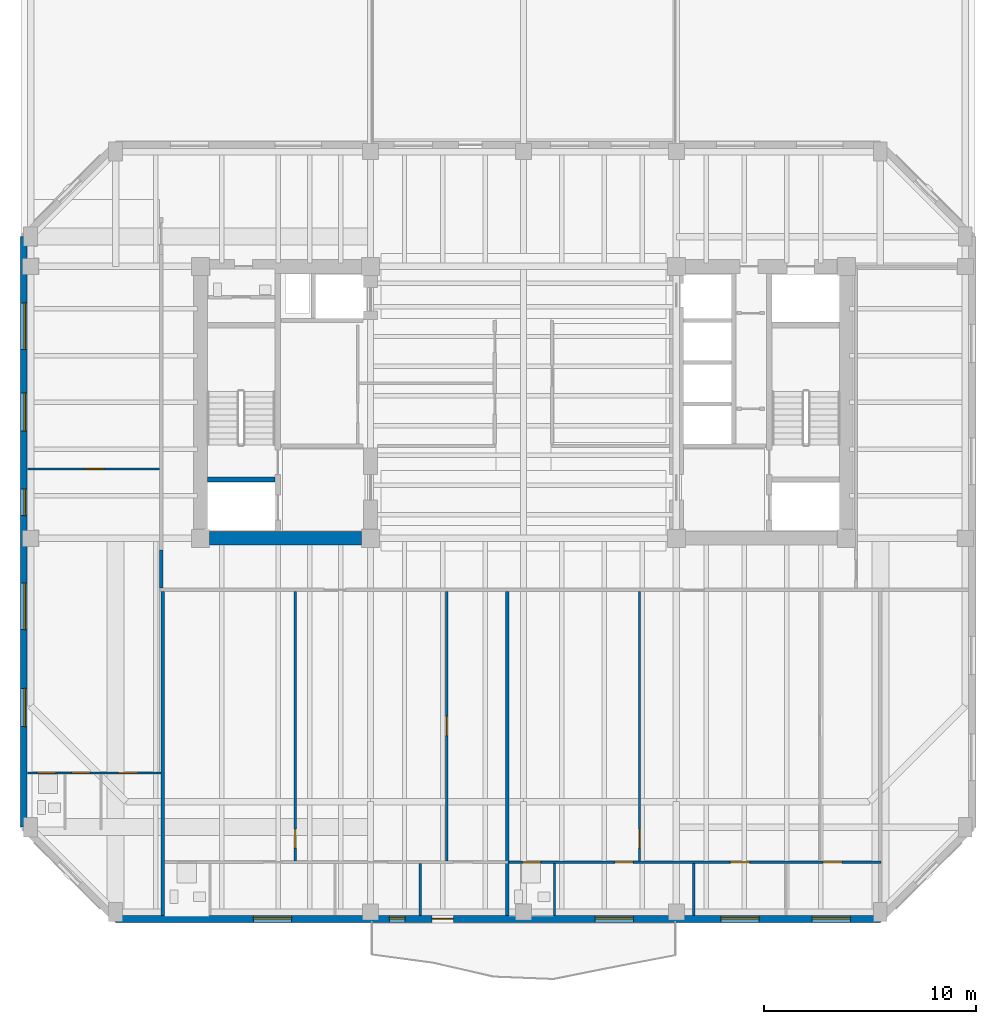
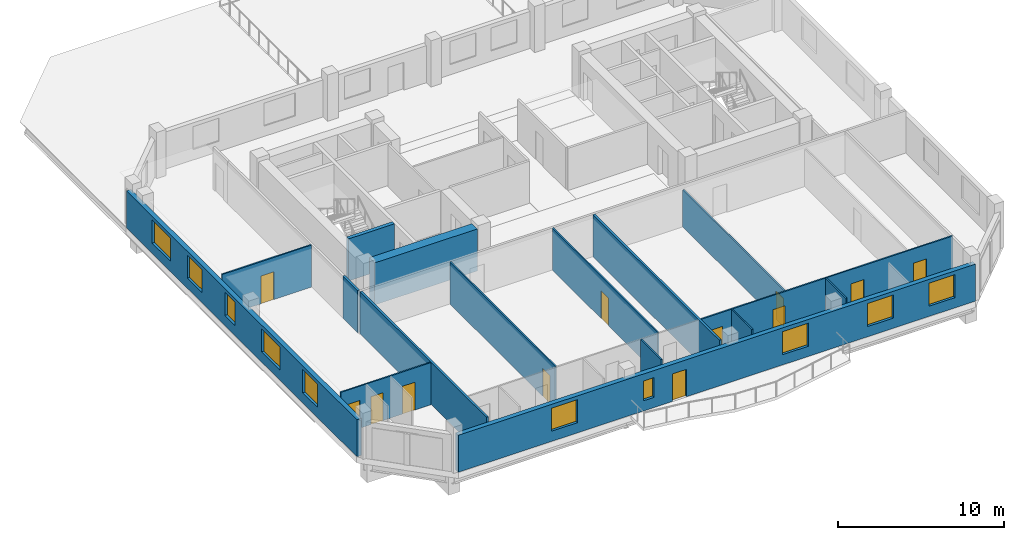
# One storey, part 3 of 11: 16 walls, 12 doors, 10 windows, 22 openings.
"""IFC4 building model written with IfcOpenShell, lengths in metres."""

from ifc_helpers import new_model, si_unit, direction, frame, frame_2d, origin, place, context, subcontext, project, spatial, rectangle, extrude, material, layer, layer_set, type_object, element, fill, save


model = new_model("IFC4")

# Units and contexts
model_context = context("Model", 3, precision=1e-05, world=origin(), true_north=direction((0.0, 1.0)))
body_context = subcontext(model_context, "Body", "Model", "MODEL_VIEW")
ifc_project = project(units=[si_unit("LENGTHUNIT", "METRE"), si_unit("AREAUNIT", "SQUARE_METRE"), si_unit("VOLUMEUNIT", "CUBIC_METRE"), si_unit("PLANEANGLEUNIT", "RADIAN"), si_unit("MASSUNIT", "GRAM", prefix="KILO")], contexts=[model_context])

# Site, building, storey
site_placement = place(None, origin())
site = spatial("IfcSite", under=ifc_project, at=site_placement, CompositionType="ELEMENT")
building_placement = place(site_placement, origin())
building = spatial("IfcBuilding", under=site, at=building_placement, Name="Kranthara Brick Stack", CompositionType="ELEMENT")
storey_placement = place(building_placement, frame((0.0, 0.0, 207.5)))
storey = spatial("IfcBuildingStorey", under=building, at=storey_placement, Name="L53", CompositionType="ELEMENT", Elevation=207.5)

# Wall, openings, door, windows
ifc_material_1 = material(Name="Warm buff clay brick masonry M15", Category="masonry")
ifc_layer_1 = layer(ifc_material_1, 0.320068359375)
ifc_layer_set_1 = layer_set([ifc_layer_1], Name="Warm buff clay brick masonry M15")
wall_type_1 = type_object("IfcWallType", Name="WL-BRK-UPPR-320", PredefinedType="STANDARD", material=ifc_layer_set_1)
wall_1_placement = place(storey_placement, frame((44.800048828125, 2.8798828125, 0.0), z_axis=(0.0, 0.0, 1.0), x_axis=(-1.0, 0.0, 0.0)))
wall_1 = element("IfcWall", 1, at=wall_1_placement, inside=storey, type_object=wall_type_1, Name="L53 Exterior Brick Facade Wall SOUTH 1", PredefinedType="STANDARD", context=body_context, shape_type="SweptSolid", body=[
    extrude(rectangle(XDim=36.0, YDim=0.320068359375, at=frame_2d((18.0, 0.0))), origin(), (0.0, 0.0, 1.0), 2.72509765625),
])
opening_1_placement = place(wall_1_placement, frame((20.10009765625, 0.0, 0.0)))
opening_1 = element("IfcOpeningElement", 2, at=opening_1_placement, cuts=wall_1, Name="Opening D03", PredefinedType="OPENING", context=body_context, shape_type="SweptSolid", body=[
    extrude(rectangle(XDim=1.0, YDim=2.02001953125, at=frame_2d((0.5, 1.010009765625))), frame((0.0, 0.169921875, 0.0), z_axis=(0.0, -1.0, 0.0), x_axis=(1.0, 0.0, 0.0)), (0.0, 0.0, 1.0), 0.340087890625),
])
opening_2_placement = place(wall_1_placement, frame((1.416015625, 0.0, 0.75)))
opening_2 = element("IfcOpeningElement", 3, at=opening_2_placement, cuts=wall_1, Name="Opening WN07", PredefinedType="OPENING", context=body_context, shape_type="SweptSolid", body=[
    extrude(rectangle(XDim=1.800048828125, YDim=1.699951171875, at=frame_2d((0.89990234375, 0.85009765625))), frame((0.0, 0.169921875, 0.0), z_axis=(0.0, -1.0, 0.0), x_axis=(1.0, 0.0, 0.0)), (0.0, 0.0, 1.0), 0.340087890625),
])
opening_3_placement = place(wall_1_placement, frame((5.70703125, 0.0, 0.75)))
opening_3 = element("IfcOpeningElement", 4, at=opening_3_placement, cuts=wall_1, Name="Opening WN07", PredefinedType="OPENING", context=body_context, shape_type="SweptSolid", body=[
    extrude(rectangle(XDim=1.800048828125, YDim=1.699951171875, at=frame_2d((0.89990234375, 0.85009765625))), frame((0.0, 0.169921875, 0.0), z_axis=(0.0, -1.0, 0.0), x_axis=(1.0, 0.0, 0.0)), (0.0, 0.0, 1.0), 0.340087890625),
])
opening_4_placement = place(wall_1_placement, frame((11.6298828125, 0.0, 0.75)))
opening_4 = element("IfcOpeningElement", 5, at=opening_4_placement, cuts=wall_1, Name="Opening WN07", PredefinedType="OPENING", context=body_context, shape_type="SweptSolid", body=[
    extrude(rectangle(XDim=1.800048828125, YDim=1.699951171875, at=frame_2d((0.89990234375, 0.85009765625))), frame((0.0, 0.169921875, 0.0), z_axis=(0.0, -1.0, 0.0), x_axis=(1.0, 0.0, 0.0)), (0.0, 0.0, 1.0), 0.340087890625),
])
opening_5_placement = place(wall_1_placement, frame((27.7119140625, 0.0, 0.75)))
opening_5 = element("IfcOpeningElement", 6, at=opening_5_placement, cuts=wall_1, Name="Opening WN07", PredefinedType="OPENING", context=body_context, shape_type="SweptSolid", body=[
    extrude(rectangle(XDim=1.800048828125, YDim=1.699951171875, at=frame_2d((0.89990234375, 0.85009765625))), frame((0.0, 0.169921875, 0.0), z_axis=(0.0, -1.0, 0.0), x_axis=(1.0, 0.0, 0.0)), (0.0, 0.0, 1.0), 0.340087890625),
])
opening_6_placement = place(wall_1_placement, frame((22.366943359375, 0.0, 0.75)))
opening_6 = element("IfcOpeningElement", 7, at=opening_6_placement, cuts=wall_1, Name="Opening WN13", PredefinedType="OPENING", context=body_context, shape_type="SweptSolid", body=[
    extrude(rectangle(XDim=0.75, YDim=1.449951171875, at=frame_2d((0.375, 0.72509765625))), frame((0.0, 0.169921875, 0.0), z_axis=(0.0, -1.0, 0.0), x_axis=(1.0, 0.0, 0.0)), (0.0, 0.0, 1.0), 0.340087890625),
])
ifc_material_2 = material(Name="Bronze anodised aluminium and laminated glass", Category="aluminium")
door_type_1 = type_object("IfcDoorType", Name="DR-BALC-1000", OperationType="NOTDEFINED", PredefinedType="DOOR", material=ifc_material_2)
door_1_placement = place(opening_1_placement, origin())
door_1 = element("IfcDoor", 8, at=door_1_placement, inside=storey, type_object=door_type_1, Name="L53 South Balcony Terrace Door", OperationType="SINGLE_SWING_LEFT", OverallHeight=2.02001953125, OverallWidth=1.0, PredefinedType="DOOR", context=body_context, shape_type="SweptSolid", body=[
    extrude(rectangle(XDim=1.0, YDim=2.02001953125, at=frame_2d((0.5, 1.010009765625))), frame((0.0, 0.02490234375, 0.0), z_axis=(0.0, -1.0, 0.0), x_axis=(1.0, 0.0, 0.0)), (0.0, 0.0, 1.0), 0.050048828125),
])
fill(opening_1, door_1)
ifc_material_3 = material(Name="Double-glazed low-E solar control glass", Category="glass")
window_type_1 = type_object("IfcWindowType", Name="WN-CAS-750x1450", PartitioningType="SINGLE_PANEL", PredefinedType="WINDOW", material=ifc_material_3)
window_1_placement = place(opening_6_placement, origin())
window_1 = element("IfcWindow", 9, at=window_1_placement, inside=storey, type_object=window_type_1, Name="L53 South Deep-Set Casement Window 05", OverallHeight=1.449951171875, OverallWidth=0.75, PartitioningType="SINGLE_PANEL", PredefinedType="WINDOW", context=body_context, shape_type="SweptSolid", body=[
    extrude(rectangle(XDim=0.75, YDim=1.449951171875, at=frame_2d((0.375, 0.72509765625))), frame((0.0, -0.010009765625, 0.0), z_axis=(0.0, -1.0, 0.0), x_axis=(1.0, 0.0, 0.0)), (0.0, 0.0, 1.0), 0.06005859375),
])
fill(opening_6, window_1)
ifc_material_4 = material(Name="Double-glazed low-E solar control glass", Category="glass")
window_type_2 = type_object("IfcWindowType", Name="WN-RES-1800x1850", PartitioningType="DOUBLE_PANEL_VERTICAL", PredefinedType="WINDOW", material=ifc_material_4)
window_2_placement = place(opening_2_placement, origin())
window_2 = element("IfcWindow", 10, at=window_2_placement, inside=storey, type_object=window_type_2, Name="L53 South Deep-Set Brick Window 01", OverallHeight=1.699951171875, OverallWidth=1.800048828125, PartitioningType="SINGLE_PANEL", PredefinedType="WINDOW", context=body_context, shape_type="SweptSolid", body=[
    extrude(rectangle(XDim=1.800048828125, YDim=1.699951171875, at=frame_2d((0.89990234375, 0.85009765625))), frame((0.0, -0.010009765625, 0.0), z_axis=(0.0, -1.0, 0.0), x_axis=(1.0, 0.0, 0.0)), (0.0, 0.0, 1.0), 0.06005859375),
])
fill(opening_2, window_2)
window_3_placement = place(opening_3_placement, origin())
window_3 = element("IfcWindow", 11, at=window_3_placement, inside=storey, type_object=window_type_2, Name="L53 South Deep-Set Brick Window 02", OverallHeight=1.699951171875, OverallWidth=1.800048828125, PartitioningType="SINGLE_PANEL", PredefinedType="WINDOW", context=body_context, shape_type="SweptSolid", body=[
    extrude(rectangle(XDim=1.800048828125, YDim=1.699951171875, at=frame_2d((0.89990234375, 0.85009765625))), frame((0.0, -0.010009765625, 0.0), z_axis=(0.0, -1.0, 0.0), x_axis=(1.0, 0.0, 0.0)), (0.0, 0.0, 1.0), 0.06005859375),
])
fill(opening_3, window_3)
window_4_placement = place(opening_4_placement, origin())
window_4 = element("IfcWindow", 12, at=window_4_placement, inside=storey, type_object=window_type_2, Name="L53 South Deep-Set Brick Window 03", OverallHeight=1.699951171875, OverallWidth=1.800048828125, PartitioningType="SINGLE_PANEL", PredefinedType="WINDOW", context=body_context, shape_type="SweptSolid", body=[
    extrude(rectangle(XDim=1.800048828125, YDim=1.699951171875, at=frame_2d((0.89990234375, 0.85009765625))), frame((0.0, -0.010009765625, 0.0), z_axis=(0.0, -1.0, 0.0), x_axis=(1.0, 0.0, 0.0)), (0.0, 0.0, 1.0), 0.06005859375),
])
fill(opening_4, window_4)
window_5_placement = place(opening_5_placement, origin())
window_5 = element("IfcWindow", 13, at=window_5_placement, inside=storey, type_object=window_type_2, Name="L53 South Deep-Set Brick Window 04", OverallHeight=1.699951171875, OverallWidth=1.800048828125, PartitioningType="SINGLE_PANEL", PredefinedType="WINDOW", context=body_context, shape_type="SweptSolid", body=[
    extrude(rectangle(XDim=1.800048828125, YDim=1.699951171875, at=frame_2d((0.89990234375, 0.85009765625))), frame((0.0, -0.010009765625, 0.0), z_axis=(0.0, -1.0, 0.0), x_axis=(1.0, 0.0, 0.0)), (0.0, 0.0, 1.0), 0.06005859375),
])
fill(opening_5, window_5)

# Wall, openings, windows
wall_2_placement = place(storey_placement, frame((4.47998046875, 7.199951171875, 0.0), z_axis=(0.0, 0.0, 1.0), x_axis=(0.0, 1.0, 0.0)))
wall_2 = element("IfcWall", 14, at=wall_2_placement, inside=storey, type_object=wall_type_1, Name="L53 Exterior Brick Facade Wall WEST 1", PredefinedType="STANDARD", context=body_context, shape_type="SweptSolid", body=[
    extrude(rectangle(XDim=27.800048828125, YDim=0.320068359375, at=frame_2d((13.89990234375, 0.0))), origin(), (0.0, 0.0, 1.0), 2.72509765625),
])
opening_7_placement = place(wall_2_placement, frame((4.72998046875, 0.0, 0.75)))
opening_7 = element("IfcOpeningElement", 15, at=opening_7_placement, cuts=wall_2, Name="Opening WN07", PredefinedType="OPENING", context=body_context, shape_type="SweptSolid", body=[
    extrude(rectangle(XDim=1.800048828125, YDim=1.699951171875, at=frame_2d((0.89990234375, 0.85009765625))), frame((0.0, 0.169921875, 0.0), z_axis=(0.0, -1.0, 0.0), x_axis=(1.0, 0.0, 0.0)), (0.0, 0.0, 1.0), 0.340087890625),
])
opening_8_placement = place(wall_2_placement, frame((9.294921875, 0.0, 0.75)))
opening_8 = element("IfcOpeningElement", 16, at=opening_8_placement, cuts=wall_2, Name="Opening WN08", PredefinedType="OPENING", context=body_context, shape_type="SweptSolid", body=[
    extrude(rectangle(XDim=2.199951171875, YDim=1.699951171875, at=frame_2d((1.10009765625, 0.85009765625))), frame((0.0, 0.169921875, 0.0), z_axis=(0.0, -1.0, 0.0), x_axis=(1.0, 0.0, 0.0)), (0.0, 0.0, 1.0), 0.340087890625),
])
opening_9_placement = place(wall_2_placement, frame((14.6689453125, 0.0, 0.75)))
opening_9 = element("IfcOpeningElement", 17, at=opening_9_placement, cuts=wall_2, Name="Opening WN09", PredefinedType="OPENING", context=body_context, shape_type="SweptSolid", body=[
    extrude(rectangle(XDim=1.25, YDim=1.699951171875, at=frame_2d((0.625, 0.85009765625))), frame((0.0, 0.169921875, 0.0), z_axis=(0.0, -1.0, 0.0), x_axis=(1.0, 0.0, 0.0)), (0.0, 0.0, 1.0), 0.340087890625),
])
opening_10_placement = place(wall_2_placement, frame((18.64892578125, 0.0, 0.75)))
opening_10 = element("IfcOpeningElement", 18, at=opening_10_placement, cuts=wall_2, Name="Opening WN07", PredefinedType="OPENING", context=body_context, shape_type="SweptSolid", body=[
    extrude(rectangle(XDim=1.800048828125, YDim=1.699951171875, at=frame_2d((0.89990234375, 0.85009765625))), frame((0.0, 0.169921875, 0.0), z_axis=(0.0, -1.0, 0.0), x_axis=(1.0, 0.0, 0.0)), (0.0, 0.0, 1.0), 0.340087890625),
])
opening_11_placement = place(wall_2_placement, frame((22.488037109375, 0.0, 0.75)))
opening_11 = element("IfcOpeningElement", 19, at=opening_11_placement, cuts=wall_2, Name="Opening WN08", PredefinedType="OPENING", context=body_context, shape_type="SweptSolid", body=[
    extrude(rectangle(XDim=2.199951171875, YDim=1.699951171875, at=frame_2d((1.10009765625, 0.85009765625))), frame((0.0, 0.169921875, 0.0), z_axis=(0.0, -1.0, 0.0), x_axis=(1.0, 0.0, 0.0)), (0.0, 0.0, 1.0), 0.340087890625),
])
ifc_material_5 = material(Name="Double-glazed low-E solar control glass", Category="glass")
window_type_3 = type_object("IfcWindowType", Name="WN-RES-1250x1850", PartitioningType="SINGLE_PANEL", PredefinedType="WINDOW", material=ifc_material_5)
window_6_placement = place(opening_9_placement, origin())
window_6 = element("IfcWindow", 20, at=window_6_placement, inside=storey, type_object=window_type_3, Name="L53 West Deep-Set Brick Window 03", OverallHeight=1.699951171875, OverallWidth=1.25, PartitioningType="SINGLE_PANEL", PredefinedType="WINDOW", context=body_context, shape_type="SweptSolid", body=[
    extrude(rectangle(XDim=1.25, YDim=1.699951171875, at=frame_2d((0.625, 0.85009765625))), frame((0.0, -0.010009765625, 0.0), z_axis=(0.0, -1.0, 0.0), x_axis=(1.0, 0.0, 0.0)), (0.0, 0.0, 1.0), 0.06005859375),
])
fill(opening_9, window_6)
window_7_placement = place(opening_7_placement, origin())
window_7 = element("IfcWindow", 21, at=window_7_placement, inside=storey, type_object=window_type_2, Name="L53 West Deep-Set Brick Window 01", OverallHeight=1.699951171875, OverallWidth=1.800048828125, PartitioningType="SINGLE_PANEL", PredefinedType="WINDOW", context=body_context, shape_type="SweptSolid", body=[
    extrude(rectangle(XDim=1.800048828125, YDim=1.699951171875, at=frame_2d((0.89990234375, 0.85009765625))), frame((0.0, -0.010009765625, 0.0), z_axis=(0.0, -1.0, 0.0), x_axis=(1.0, 0.0, 0.0)), (0.0, 0.0, 1.0), 0.06005859375),
])
fill(opening_7, window_7)
window_8_placement = place(opening_10_placement, origin())
window_8 = element("IfcWindow", 22, at=window_8_placement, inside=storey, type_object=window_type_2, Name="L53 West Deep-Set Brick Window 04", OverallHeight=1.699951171875, OverallWidth=1.800048828125, PartitioningType="SINGLE_PANEL", PredefinedType="WINDOW", context=body_context, shape_type="SweptSolid", body=[
    extrude(rectangle(XDim=1.800048828125, YDim=1.699951171875, at=frame_2d((0.89990234375, 0.85009765625))), frame((0.0, -0.010009765625, 0.0), z_axis=(0.0, -1.0, 0.0), x_axis=(1.0, 0.0, 0.0)), (0.0, 0.0, 1.0), 0.06005859375),
])
fill(opening_10, window_8)
ifc_material_6 = material(Name="Double-glazed low-E solar control glass", Category="glass")
window_type_4 = type_object("IfcWindowType", Name="WN-RES-2200x1850", PartitioningType="TRIPLE_PANEL_VERTICAL", PredefinedType="WINDOW", material=ifc_material_6)
window_9_placement = place(opening_8_placement, origin())
window_9 = element("IfcWindow", 23, at=window_9_placement, inside=storey, type_object=window_type_4, Name="L53 West Deep-Set Brick Window 02", OverallHeight=1.699951171875, OverallWidth=2.199951171875, PartitioningType="SINGLE_PANEL", PredefinedType="WINDOW", context=body_context, shape_type="SweptSolid", body=[
    extrude(rectangle(XDim=2.199951171875, YDim=1.699951171875, at=frame_2d((1.10009765625, 0.85009765625))), frame((0.0, -0.010009765625, 0.0), z_axis=(0.0, -1.0, 0.0), x_axis=(1.0, 0.0, 0.0)), (0.0, 0.0, 1.0), 0.06005859375),
])
fill(opening_8, window_9)
window_10_placement = place(opening_11_placement, origin())
window_10 = element("IfcWindow", 24, at=window_10_placement, inside=storey, type_object=window_type_4, Name="L53 West Deep-Set Brick Window 05", OverallHeight=1.699951171875, OverallWidth=2.199951171875, PartitioningType="SINGLE_PANEL", PredefinedType="WINDOW", context=body_context, shape_type="SweptSolid", body=[
    extrude(rectangle(XDim=2.199951171875, YDim=1.699951171875, at=frame_2d((1.10009765625, 0.85009765625))), frame((0.0, -0.010009765625, 0.0), z_axis=(0.0, -1.0, 0.0), x_axis=(1.0, 0.0, 0.0)), (0.0, 0.0, 1.0), 0.06005859375),
])
fill(opening_11, window_10)

# Walls
ifc_material_7 = material(Name="Concrete C50/60", Category="concrete")
ifc_layer_2 = layer(ifc_material_7, 0.25)
ifc_layer_set_2 = layer_set([ifc_layer_2], Name="Concrete C50/60")
wall_type_2 = type_object("IfcWallType", Name="WL-CORE-250", PredefinedType="SHEAR", material=ifc_layer_set_2)
wall_3_placement = place(storey_placement, frame((13.135009765625, 23.570068359375, 0.0), z_axis=(0.0, 0.0, 1.0), x_axis=(1.0, 0.0, 0.0)))
element("IfcWall", 25, at=wall_3_placement, inside=storey, type_object=wall_type_2, Name="L53 West Stairwell Bearing Wall WFF", PredefinedType="SHEAR", context=body_context, shape_type="SweptSolid", body=[
    extrude(rectangle(XDim=3.175048828125, YDim=0.25, at=frame_2d((1.58740234375, 0.0))), origin(), (0.0, 0.0, 1.0), 3.10009765625),
])
ifc_material_8 = material(Name="Concrete C60/75", Category="concrete")
ifc_layer_3 = layer(ifc_material_8, 0.64990234375)
ifc_layer_set_3 = layer_set([ifc_layer_3], Name="Concrete C60/75")
wall_type_3 = type_object("IfcWallType", Name="WL-CORE-650", PredefinedType="SHEAR", material=ifc_layer_set_3)
wall_4_placement = place(storey_placement, frame((13.22998046875, 20.800048828125, 0.0), z_axis=(0.0, 0.0, 1.0), x_axis=(1.0, 0.0, 0.0)))
element("IfcWall", 26, at=wall_4_placement, inside=storey, type_object=wall_type_3, Name="L53 West Core Shear Wall South", PredefinedType="SHEAR", context=body_context, shape_type="SweptSolid", body=[
    extrude(rectangle(XDim=7.14013671875, YDim=0.64990234375, at=frame_2d((3.570068359375, 0.0))), origin(), (0.0, 0.0, 1.0), 3.10009765625),
])

# Wall, opening, door
ifc_material_9 = material(Name="Moisture-resistant wet-room partition", Category="other")
ifc_layer_4 = layer(ifc_material_9, 0.10009765625)
ifc_layer_set_4 = layer_set([ifc_layer_4], Name="Moisture-resistant wet-room partition")
wall_type_4 = type_object("IfcWallType", Name="WL-PART-100", PredefinedType="PARTITIONING", material=ifc_layer_set_4)
wall_5_placement = place(storey_placement, frame((24.39208984375, 5.60498046875, 0.0), z_axis=(0.0, 0.0, 1.0), x_axis=(0.0, 1.0, 0.0)))
wall_5 = element("IfcWall", 27, at=wall_5_placement, inside=storey, type_object=wall_type_4, Name="L53 Interior Partition 013", PredefinedType="PARTITIONING", context=body_context, shape_type="SweptSolid", body=[
    extrude(rectangle(XDim=12.695068359375, YDim=0.10009765625, at=frame_2d((6.34765625, 0.0))), origin(), (0.0, 0.0, 1.0), 3.10009765625),
])
opening_12_placement = place(wall_5_placement, frame((5.909912109375, 0.0, 0.0)))
opening_12 = element("IfcOpeningElement", 28, at=opening_12_placement, cuts=wall_5, Name="Opening D15", PredefinedType="OPENING", context=body_context, shape_type="SweptSolid", body=[
    extrude(rectangle(XDim=0.89990234375, YDim=2.050048828125, at=frame_2d((0.449951171875, 1.02490234375))), frame((0.0, 0.06005859375, 0.0), z_axis=(0.0, -1.0, 0.0), x_axis=(1.0, 0.0, 0.0)), (0.0, 0.0, 1.0), 0.1201171875),
])
ifc_material_10 = material(Name="Solid-core hardwood timber leaf in steel frame", Category="steel")
door_type_2 = type_object("IfcDoorType", Name="DR-INT-900", OperationType="NOTDEFINED", PredefinedType="DOOR", material=ifc_material_10)
door_2_placement = place(opening_12_placement, origin())
door_2 = element("IfcDoor", 29, at=door_2_placement, inside=storey, type_object=door_type_2, Name="L53 Unit L53A Bedroom 3 09", OperationType="SINGLE_SWING_LEFT", OverallHeight=2.050048828125, OverallWidth=0.89990234375, PredefinedType="DOOR", context=body_context, shape_type="SweptSolid", body=[
    extrude(rectangle(XDim=0.89990234375, YDim=2.050048828125, at=frame_2d((0.449951171875, 1.02490234375))), frame((0.0, 0.02490234375, 0.0), z_axis=(0.0, -1.0, 0.0), x_axis=(1.0, 0.0, 0.0)), (0.0, 0.0, 1.0), 0.050048828125),
])
fill(opening_12, door_2)

wall_6_placement = place(storey_placement, frame((17.256103515625, 5.60498046875, 0.0), z_axis=(0.0, 0.0, 1.0), x_axis=(0.0, 1.0, 0.0)))
wall_6 = element("IfcWall", 30, at=wall_6_placement, inside=storey, type_object=wall_type_4, Name="L53 Interior Partition 014", PredefinedType="PARTITIONING", context=body_context, shape_type="SweptSolid", body=[
    extrude(rectangle(XDim=12.695068359375, YDim=0.10009765625, at=frame_2d((6.34765625, 0.0))), origin(), (0.0, 0.0, 1.0), 3.10009765625),
])
opening_13_placement = place(wall_6_placement, frame((0.60498046875, 0.0, 0.0)))
opening_13 = element("IfcOpeningElement", 31, at=opening_13_placement, cuts=wall_6, Name="Opening D15", PredefinedType="OPENING", context=body_context, shape_type="SweptSolid", body=[
    extrude(rectangle(XDim=0.89990234375, YDim=2.050048828125, at=frame_2d((0.449951171875, 1.02490234375))), frame((0.0, 0.06005859375, 0.0), z_axis=(0.0, -1.0, 0.0), x_axis=(1.0, 0.0, 0.0)), (0.0, 0.0, 1.0), 0.1201171875),
])
door_3_placement = place(opening_13_placement, origin())
door_3 = element("IfcDoor", 32, at=door_3_placement, inside=storey, type_object=door_type_2, Name="L53 Unit L53A Study 10", OperationType="SINGLE_SWING_RIGHT", OverallHeight=2.050048828125, OverallWidth=0.89990234375, PredefinedType="DOOR", context=body_context, shape_type="SweptSolid", body=[
    extrude(rectangle(XDim=0.89990234375, YDim=2.050048828125, at=frame_2d((0.449951171875, 1.02490234375))), frame((0.0, 0.02490234375, 0.0), z_axis=(0.0, -1.0, 0.0), x_axis=(1.0, 0.0, 0.0)), (0.0, 0.0, 1.0), 0.050048828125),
])
fill(opening_13, door_3)

# Wall
wall_7_placement = place(storey_placement, frame((23.14111328125, 3.044921875, 0.0), z_axis=(0.0, 0.0, 1.0), x_axis=(0.0, 1.0, 0.0)))
element("IfcWall", 33, at=wall_7_placement, inside=storey, type_object=wall_type_4, Name="L53 Interior Partition 017", PredefinedType="PARTITIONING", context=body_context, shape_type="SweptSolid", body=[
    extrude(rectangle(XDim=2.4501953125, YDim=0.10009765625, at=frame_2d((1.22509765625, 0.0))), origin(), (0.0, 0.0, 1.0), 3.10009765625),
])

# Wall, openings, doors
wall_8_placement = place(storey_placement, frame((27.31396484375, 5.550048828125, 0.0), z_axis=(0.0, 0.0, 1.0), x_axis=(1.0, 0.0, 0.0)))
wall_8 = element("IfcWall", 34, at=wall_8_placement, inside=storey, type_object=wall_type_4, Name="L53 Interior Partition 019", PredefinedType="PARTITIONING", context=body_context, shape_type="SweptSolid", body=[
    extrude(rectangle(XDim=17.526123046875, YDim=0.10009765625, at=frame_2d((8.76318359375, 0.0))), origin(), (0.0, 0.0, 1.0), 3.10009765625),
])
opening_14_placement = place(wall_8_placement, frame((0.64990234375, 0.0, 0.0)))
opening_14 = element("IfcOpeningElement", 35, at=opening_14_placement, cuts=wall_8, Name="Opening D17", PredefinedType="OPENING", context=body_context, shape_type="SweptSolid", body=[
    extrude(rectangle(XDim=0.85009765625, YDim=2.050048828125, at=frame_2d((0.425048828125, 1.02490234375))), frame((0.0, 0.06005859375, 0.0), z_axis=(0.0, -1.0, 0.0), x_axis=(1.0, 0.0, 0.0)), (0.0, 0.0, 1.0), 0.1201171875),
])
opening_15_placement = place(wall_8_placement, frame((5.0009765625, 0.0, 0.0)))
opening_15 = element("IfcOpeningElement", 36, at=opening_15_placement, cuts=wall_8, Name="Opening D16", PredefinedType="OPENING", context=body_context, shape_type="SweptSolid", body=[
    extrude(rectangle(XDim=0.85009765625, YDim=2.050048828125, at=frame_2d((0.425048828125, 1.02490234375))), frame((0.0, 0.06005859375, 0.0), z_axis=(0.0, -1.0, 0.0), x_axis=(1.0, 0.0, 0.0)), (0.0, 0.0, 1.0), 0.1201171875),
])
opening_16_placement = place(wall_8_placement, frame((10.427978515625, 0.0, 0.0)))
opening_16 = element("IfcOpeningElement", 37, at=opening_16_placement, cuts=wall_8, Name="Opening D15", PredefinedType="OPENING", context=body_context, shape_type="SweptSolid", body=[
    extrude(rectangle(XDim=0.89990234375, YDim=2.050048828125, at=frame_2d((0.449951171875, 1.02490234375))), frame((0.0, 0.06005859375, 0.0), z_axis=(0.0, -1.0, 0.0), x_axis=(1.0, 0.0, 0.0)), (0.0, 0.0, 1.0), 0.1201171875),
])
opening_17_placement = place(wall_8_placement, frame((14.780029296875, 0.0, 0.0)))
opening_17 = element("IfcOpeningElement", 38, at=opening_17_placement, cuts=wall_8, Name="Opening D15", PredefinedType="OPENING", context=body_context, shape_type="SweptSolid", body=[
    extrude(rectangle(XDim=0.89990234375, YDim=2.050048828125, at=frame_2d((0.449951171875, 1.02490234375))), frame((0.0, 0.06005859375, 0.0), z_axis=(0.0, -1.0, 0.0), x_axis=(1.0, 0.0, 0.0)), (0.0, 0.0, 1.0), 0.1201171875),
])
ifc_material_11 = material(Name="Solid-core hardwood timber leaf in steel frame", Category="steel")
door_type_3 = type_object("IfcDoorType", Name="DR-INT-850", OperationType="NOTDEFINED", PredefinedType="DOOR", material=ifc_material_11)
door_4_placement = place(opening_15_placement, origin())
door_4 = element("IfcDoor", 39, at=door_4_placement, inside=storey, type_object=door_type_3, Name="L53 Unit L53B Kitchen 19", OperationType="SINGLE_SWING_LEFT", OverallHeight=2.050048828125, OverallWidth=0.85009765625, PredefinedType="DOOR", context=body_context, shape_type="SweptSolid", body=[
    extrude(rectangle(XDim=0.85009765625, YDim=2.050048828125, at=frame_2d((0.425048828125, 1.02490234375))), frame((0.0, 0.02490234375, 0.0), z_axis=(0.0, -1.0, 0.0), x_axis=(1.0, 0.0, 0.0)), (0.0, 0.0, 1.0), 0.050048828125),
])
fill(opening_15, door_4)
door_5_placement = place(opening_16_placement, origin())
door_5 = element("IfcDoor", 40, at=door_5_placement, inside=storey, type_object=door_type_2, Name="L53 Unit L53B Master Bedroom 20", OperationType="SINGLE_SWING_RIGHT", OverallHeight=2.050048828125, OverallWidth=0.89990234375, PredefinedType="DOOR", context=body_context, shape_type="SweptSolid", body=[
    extrude(rectangle(XDim=0.89990234375, YDim=2.050048828125, at=frame_2d((0.449951171875, 1.02490234375))), frame((0.0, 0.02490234375, 0.0), z_axis=(0.0, -1.0, 0.0), x_axis=(1.0, 0.0, 0.0)), (0.0, 0.0, 1.0), 0.050048828125),
])
fill(opening_16, door_5)
door_6_placement = place(opening_17_placement, origin())
door_6 = element("IfcDoor", 41, at=door_6_placement, inside=storey, type_object=door_type_2, Name="L53 Unit L53B Bedroom 2 21", OperationType="SINGLE_SWING_LEFT", OverallHeight=2.050048828125, OverallWidth=0.89990234375, PredefinedType="DOOR", context=body_context, shape_type="SweptSolid", body=[
    extrude(rectangle(XDim=0.89990234375, YDim=2.050048828125, at=frame_2d((0.449951171875, 1.02490234375))), frame((0.0, 0.02490234375, 0.0), z_axis=(0.0, -1.0, 0.0), x_axis=(1.0, 0.0, 0.0)), (0.0, 0.0, 1.0), 0.050048828125),
])
fill(opening_17, door_6)
ifc_material_12 = material(Name="Solid-core hardwood timber leaf in steel frame", Category="steel")
door_type_4 = type_object("IfcDoorType", Name="DR-WET-850", OperationType="NOTDEFINED", PredefinedType="DOOR", material=ifc_material_12)
door_7_placement = place(opening_14_placement, origin())
door_7 = element("IfcDoor", 42, at=door_7_placement, inside=storey, type_object=door_type_4, Name="L53 Unit L53B Bathroom 18", OperationType="SINGLE_SWING_RIGHT", OverallHeight=2.050048828125, OverallWidth=0.85009765625, PredefinedType="DOOR", context=body_context, shape_type="SweptSolid", body=[
    extrude(rectangle(XDim=0.85009765625, YDim=2.050048828125, at=frame_2d((0.425048828125, 1.02490234375))), frame((0.0, 0.02490234375, 0.0), z_axis=(0.0, -1.0, 0.0), x_axis=(1.0, 0.0, 0.0)), (0.0, 0.0, 1.0), 0.050048828125),
])
fill(opening_14, door_7)

# Wall, opening, door
wall_9_placement = place(storey_placement, frame((33.469970703125, 5.60498046875, 0.0), z_axis=(0.0, 0.0, 1.0), x_axis=(0.0, 1.0, 0.0)))
wall_9 = element("IfcWall", 43, at=wall_9_placement, inside=storey, type_object=wall_type_4, Name="L53 Interior Partition 021", PredefinedType="PARTITIONING", context=body_context, shape_type="SweptSolid", body=[
    extrude(rectangle(XDim=12.695068359375, YDim=0.10009765625, at=frame_2d((6.34765625, 0.0))), origin(), (0.0, 0.0, 1.0), 2.72509765625),
])
opening_18_placement = place(wall_9_placement, frame((0.60498046875, 0.0, 0.0)))
opening_18 = element("IfcOpeningElement", 44, at=opening_18_placement, cuts=wall_9, Name="Opening D15", PredefinedType="OPENING", context=body_context, shape_type="SweptSolid", body=[
    extrude(rectangle(XDim=0.89990234375, YDim=2.050048828125, at=frame_2d((0.449951171875, 1.02490234375))), frame((0.0, 0.06005859375, 0.0), z_axis=(0.0, -1.0, 0.0), x_axis=(1.0, 0.0, 0.0)), (0.0, 0.0, 1.0), 0.1201171875),
])
door_8_placement = place(opening_18_placement, origin())
door_8 = element("IfcDoor", 45, at=door_8_placement, inside=storey, type_object=door_type_2, Name="L53 Unit L53B Study 17", OperationType="SINGLE_SWING_LEFT", OverallHeight=2.050048828125, OverallWidth=0.89990234375, PredefinedType="DOOR", context=body_context, shape_type="SweptSolid", body=[
    extrude(rectangle(XDim=0.89990234375, YDim=2.050048828125, at=frame_2d((0.449951171875, 1.02490234375))), frame((0.0, 0.02490234375, 0.0), z_axis=(0.0, -1.0, 0.0), x_axis=(1.0, 0.0, 0.0)), (0.0, 0.0, 1.0), 0.050048828125),
])
fill(opening_18, door_8)

# Walls
for number, where, z_axis, x_axis, name in (
    (46, (29.464111328125, 3.044921875, 0.0), (0.0, 0.0, 1.0), (0.0, 1.0, 0.0), "L53 Interior Partition 022"),
    (47, (36.01708984375, 3.044921875, 0.0), (0.0, 0.0, 1.0), (0.0, 1.0, 0.0), "L53 Interior Partition 023"),
):
    element("IfcWall", number, at=place(storey_placement, frame(where, z_axis=z_axis, x_axis=x_axis)), inside=storey, type_object=wall_type_4, Name=name, PredefinedType="PARTITIONING", context=body_context, shape_type="SweptSolid", body=[
        extrude(rectangle(XDim=2.4501953125, YDim=0.10009765625, at=frame_2d((1.22509765625, 0.0))), origin(), (0.0, 0.0, 1.0), 3.10009765625),
    ])

# Wall, openings, doors
wall_10_placement = place(storey_placement, frame((4.64501953125, 9.75, 0.0), z_axis=(0.0, 0.0, 1.0), x_axis=(1.0, 0.0, 0.0)))
wall_10 = element("IfcWall", 48, at=wall_10_placement, inside=storey, type_object=wall_type_4, Name="L53 Interior Partition 031", PredefinedType="PARTITIONING", context=body_context, shape_type="SweptSolid", body=[
    extrude(rectangle(XDim=6.294921875, YDim=0.10009765625, at=frame_2d((3.1474609375, 0.0))), origin(), (0.0, 0.0, 1.0), 3.10009765625),
])
opening_19_placement = place(wall_10_placement, frame((0.471923828125, 0.0, 0.0)))
opening_19 = element("IfcOpeningElement", 49, at=opening_19_placement, cuts=wall_10, Name="Opening D17", PredefinedType="OPENING", context=body_context, shape_type="SweptSolid", body=[
    extrude(rectangle(XDim=0.85009765625, YDim=2.050048828125, at=frame_2d((0.425048828125, 1.02490234375))), frame((0.0, 0.06005859375, 0.0), z_axis=(0.0, -1.0, 0.0), x_axis=(1.0, 0.0, 0.0)), (0.0, 0.0, 1.0), 0.1201171875),
])
opening_20_placement = place(wall_10_placement, frame((2.092041015625, 0.0, 0.0)))
opening_20 = element("IfcOpeningElement", 50, at=opening_20_placement, cuts=wall_10, Name="Opening D16", PredefinedType="OPENING", context=body_context, shape_type="SweptSolid", body=[
    extrude(rectangle(XDim=0.85009765625, YDim=2.050048828125, at=frame_2d((0.425048828125, 1.02490234375))), frame((0.0, 0.06005859375, 0.0), z_axis=(0.0, -1.0, 0.0), x_axis=(1.0, 0.0, 0.0)), (0.0, 0.0, 1.0), 0.1201171875),
])
opening_21_placement = place(wall_10_placement, frame((4.284912109375, 0.0, 0.0)))
opening_21 = element("IfcOpeningElement", 51, at=opening_21_placement, cuts=wall_10, Name="Opening D15", PredefinedType="OPENING", context=body_context, shape_type="SweptSolid", body=[
    extrude(rectangle(XDim=0.89990234375, YDim=2.050048828125, at=frame_2d((0.449951171875, 1.02490234375))), frame((0.0, 0.06005859375, 0.0), z_axis=(0.0, -1.0, 0.0), x_axis=(1.0, 0.0, 0.0)), (0.0, 0.0, 1.0), 0.1201171875),
])
door_9_placement = place(opening_20_placement, origin())
door_9 = element("IfcDoor", 52, at=door_9_placement, inside=storey, type_object=door_type_3, Name="L53 Unit L53C Kitchen 25", OperationType="SINGLE_SWING_LEFT", OverallHeight=2.050048828125, OverallWidth=0.85009765625, PredefinedType="DOOR", context=body_context, shape_type="SweptSolid", body=[
    extrude(rectangle(XDim=0.85009765625, YDim=2.050048828125, at=frame_2d((0.425048828125, 1.02490234375))), frame((0.0, 0.02490234375, 0.0), z_axis=(0.0, -1.0, 0.0), x_axis=(1.0, 0.0, 0.0)), (0.0, 0.0, 1.0), 0.050048828125),
])
fill(opening_20, door_9)
door_10_placement = place(opening_21_placement, origin())
door_10 = element("IfcDoor", 53, at=door_10_placement, inside=storey, type_object=door_type_2, Name="L53 Unit L53C Bedroom 26", OperationType="SINGLE_SWING_RIGHT", OverallHeight=2.050048828125, OverallWidth=0.89990234375, PredefinedType="DOOR", context=body_context, shape_type="SweptSolid", body=[
    extrude(rectangle(XDim=0.89990234375, YDim=2.050048828125, at=frame_2d((0.449951171875, 1.02490234375))), frame((0.0, 0.02490234375, 0.0), z_axis=(0.0, -1.0, 0.0), x_axis=(1.0, 0.0, 0.0)), (0.0, 0.0, 1.0), 0.050048828125),
])
fill(opening_21, door_10)
door_11_placement = place(opening_19_placement, origin())
door_11 = element("IfcDoor", 54, at=door_11_placement, inside=storey, type_object=door_type_4, Name="L53 Unit L53C Bathroom 24", OperationType="SINGLE_SWING_RIGHT", OverallHeight=2.050048828125, OverallWidth=0.85009765625, PredefinedType="DOOR", context=body_context, shape_type="SweptSolid", body=[
    extrude(rectangle(XDim=0.85009765625, YDim=2.050048828125, at=frame_2d((0.425048828125, 1.02490234375))), frame((0.0, 0.02490234375, 0.0), z_axis=(0.0, -1.0, 0.0), x_axis=(1.0, 0.0, 0.0)), (0.0, 0.0, 1.0), 0.050048828125),
])
fill(opening_19, door_11)

# Wall, opening, door
wall_11_placement = place(storey_placement, frame((4.64501953125, 24.06201171875, 0.0), z_axis=(0.0, 0.0, 1.0), x_axis=(1.0, 0.0, 0.0)))
wall_11 = element("IfcWall", 55, at=wall_11_placement, inside=storey, type_object=wall_type_4, Name="L53 Interior Partition 032", PredefinedType="PARTITIONING", context=body_context, shape_type="SweptSolid", body=[
    extrude(rectangle(XDim=6.22509765625, YDim=0.10009765625, at=frame_2d((3.112548828125, 0.0))), origin(), (0.0, 0.0, 1.0), 3.10009765625),
])
opening_22_placement = place(wall_11_placement, frame((2.696044921875, 0.0, 0.0)))
opening_22 = element("IfcOpeningElement", 56, at=opening_22_placement, cuts=wall_11, Name="Opening D15", PredefinedType="OPENING", context=body_context, shape_type="SweptSolid", body=[
    extrude(rectangle(XDim=0.89990234375, YDim=2.050048828125, at=frame_2d((0.449951171875, 1.02490234375))), frame((0.0, 0.06005859375, 0.0), z_axis=(0.0, -1.0, 0.0), x_axis=(1.0, 0.0, 0.0)), (0.0, 0.0, 1.0), 0.1201171875),
])
door_12_placement = place(opening_22_placement, origin())
door_12 = element("IfcDoor", 57, at=door_12_placement, inside=storey, type_object=door_type_2, Name="L53 Unit L53C Study 23", OperationType="SINGLE_SWING_LEFT", OverallHeight=2.050048828125, OverallWidth=0.89990234375, PredefinedType="DOOR", context=body_context, shape_type="SweptSolid", body=[
    extrude(rectangle(XDim=0.89990234375, YDim=2.050048828125, at=frame_2d((0.449951171875, 1.02490234375))), frame((0.0, 0.02490234375, 0.0), z_axis=(0.0, -1.0, 0.0), x_axis=(1.0, 0.0, 0.0)), (0.0, 0.0, 1.0), 0.050048828125),
])
fill(opening_22, door_12)

# Walls
ifc_material_13 = material(Name="Fire-rated gypsum board partition", Category="other")
ifc_layer_5 = layer(ifc_material_13, 0.14990234375)
ifc_layer_set_5 = layer_set([ifc_layer_5], Name="Fire-rated gypsum board partition")
wall_type_5 = type_object("IfcWallType", Name="WL-PART-150", PredefinedType="PARTITIONING", material=ifc_layer_set_5)
for number, where, z_axis, x_axis, name in (
    (58, (11.02001953125, 3.044921875, 0.0), (0.0, 0.0, 1.0), (0.0, 1.0, 0.0), "L53 Interior Partition 011"),
    (59, (27.23388671875, 3.044921875, 0.0), (0.0, 0.0, 1.0), (0.0, 1.0, 0.0), "L53 Interior Partition 018"),
):
    element("IfcWall", number, at=place(storey_placement, frame(where, z_axis=z_axis, x_axis=x_axis)), inside=storey, type_object=wall_type_5, Name=name, PredefinedType="PARTITIONING", context=body_context, shape_type="SweptSolid", body=[
        extrude(rectangle(XDim=15.255126953125, YDim=0.14990234375, at=frame_2d((7.62744140625, 0.0))), origin(), (0.0, 0.0, 1.0), 3.10009765625),
    ])
wall_12_placement = place(storey_placement, frame((10.949951171875, 18.4599609375, 0.0), z_axis=(0.0, 0.0, 1.0), x_axis=(0.0, 1.0, 0.0)))
element("IfcWall", 60, at=wall_12_placement, inside=storey, type_object=wall_type_5, Name="L53 Interior Partition 027", PredefinedType="PARTITIONING", context=body_context, shape_type="SweptSolid", body=[
    extrude(rectangle(XDim=1.7900390625, YDim=0.14990234375, at=frame_2d((0.89501953125, 0.0))), origin(), (0.0, 0.0, 1.0), 3.10009765625),
])

save(model, "model.ifc")
